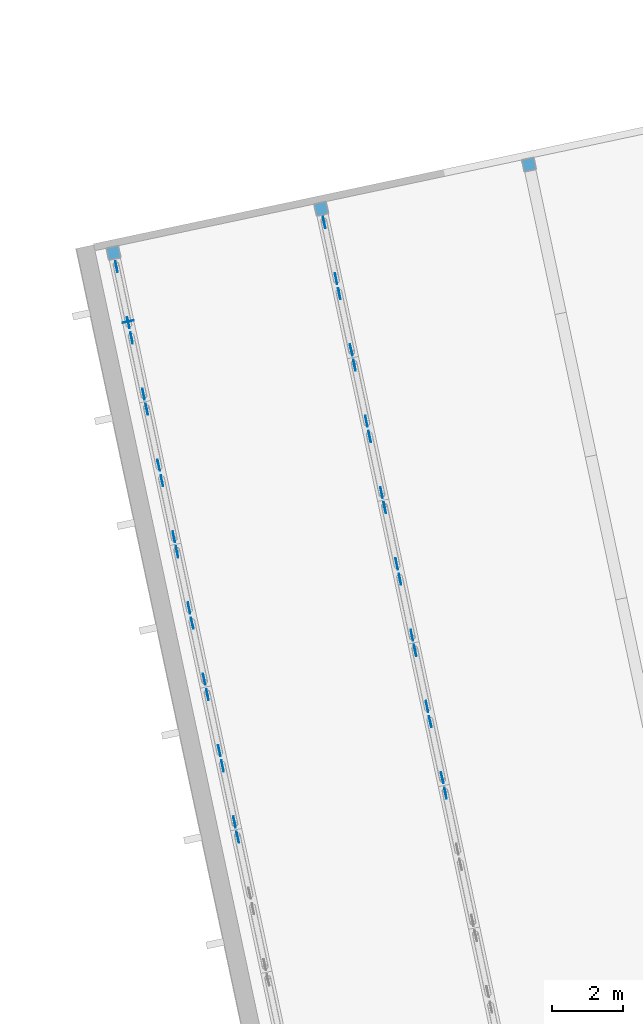
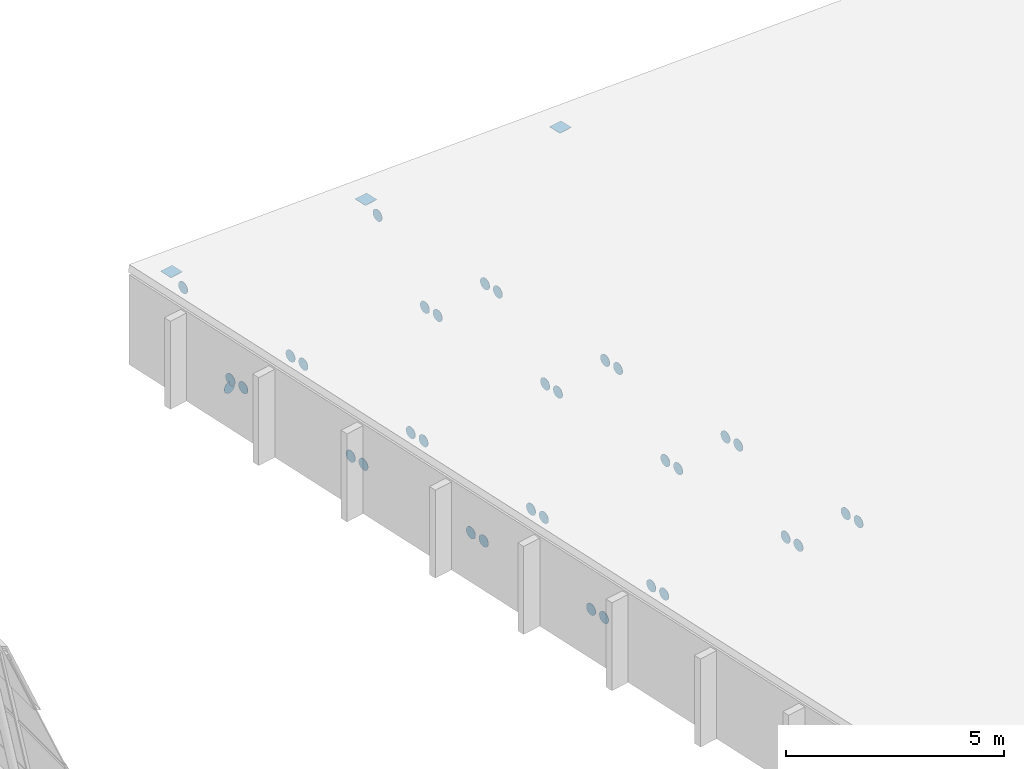
# One storey, part 42 of 50: 38 discrete accessories.
"""IFC4 building model written with IfcOpenShell, lengths in metres."""

from ifc_helpers import new_model, si_unit, direction, frame, origin, origin_2d, place, context, subcontext, project, spatial, rectangle, circle, extrude, material, layer, layer_set, type_object, element, save


model = new_model("IFC4")

# Units and contexts
model_context = context("Model", 3, precision=1e-05, world=origin(), true_north=direction((0.0, 1.0)))
body_context = subcontext(model_context, "Body", "Model", "MODEL_VIEW")
ifc_project = project(units=[si_unit("LENGTHUNIT", "METRE"), si_unit("AREAUNIT", "SQUARE_METRE"), si_unit("VOLUMEUNIT", "CUBIC_METRE"), si_unit("PLANEANGLEUNIT", "RADIAN"), si_unit("MASSUNIT", "GRAM", prefix="KILO")], contexts=[model_context])

# Site, building, storey
site_placement = place(None, origin())
site = spatial("IfcSite", under=ifc_project, at=site_placement, CompositionType="ELEMENT")
building_placement = place(site_placement, origin())
building = spatial("IfcBuilding", under=site, at=building_placement, Name="Windward Yard Aquatics Centre", CompositionType="ELEMENT")
storey_placement = place(building_placement, frame((0.0, 0.0, 18.199951171875)))
storey = spatial("IfcBuildingStorey", under=building, at=storey_placement, Name="L04", CompositionType="ELEMENT", Elevation=18.199951171875)

# Discrete accessories
ifc_material = material(Name="Steel S355", Category="steel")
ifc_layer_1 = layer(ifc_material, 0.010009765625)
ifc_layer_set_1 = layer_set([ifc_layer_1], Name="End cap plate 10 mm CHS323.9x12.7")
discrete_accessory_type_1 = type_object("IfcDiscreteAccessoryType", Name="End cap plate 10 mm CHS323.9x12.7", PredefinedType="USERDEFINED", material=ifc_layer_set_1)
discrete_accessory_1_placement = place(storey_placement, frame((157.343017578125, 72.608642578125, 0.104736328125), z_axis=(-0.219512195122, 0.975609756098, 0.0), x_axis=(-0.975609756098, -0.219512195122, 0.0)))
element("IfcDiscreteAccessory", 1, at=discrete_accessory_1_placement, inside=storey, type_object=discrete_accessory_type_1, Name="End cap", ObjectType="END CAP", PredefinedType="USERDEFINED", context=body_context, shape_type="SweptSolid", body=[
    extrude(circle(Radius=0.161865234375, at=origin_2d()), origin(), (0.0, 0.0, 1.0), 0.010009765625),
])
ifc_layer_2 = layer(ifc_material, 0.010009765625)
ifc_layer_set_2 = layer_set([ifc_layer_2], Name="End cap plate 10 mm RHS355.6x355.6x15.9")
discrete_accessory_type_2 = type_object("IfcDiscreteAccessoryType", Name="End cap plate 10 mm RHS355.6x355.6x15.9", PredefinedType="USERDEFINED", material=ifc_layer_set_2)
for number, where, z_axis, x_axis, name in (
    (2, (162.79833984375, 75.801025390625, 1.515380859375), (0.0, 0.0, 1.0), (0.978147600734, 0.207911690818, 0.0), "End cap"),
    (3, (168.667236328125, 77.048583984375, 0.725830078125), (0.0, 0.0, 1.0), (0.978147600734, 0.207911690818, 0.0), "End cap"),
    (4, (156.929443359375, 74.553466796875, 2.3046875), (0.0, 0.0, 1.0), (0.978147600734, 0.207911690818, 0.0), "End cap"),
):
    element("IfcDiscreteAccessory", number, at=place(storey_placement, frame(where, z_axis=z_axis, x_axis=x_axis)), inside=storey, type_object=discrete_accessory_type_2, Name=name, ObjectType="END CAP", PredefinedType="USERDEFINED", context=body_context, shape_type="SweptSolid", body=[
        extrude(rectangle(XDim=0.355712890625, YDim=0.355712890625, at=origin_2d()), origin(), (0.0, 0.0, 1.0), 0.010009765625),
    ])
ifc_layer_3 = layer(ifc_material, 0.011962890625)
ifc_layer_set_3 = layer_set([ifc_layer_3], Name="Gusset plate 320 mm disc 12 mm, roof frames")
discrete_accessory_type_3 = type_object("IfcDiscreteAccessoryType", Name="Gusset plate 320 mm disc 12 mm, roof frames", PredefinedType="USERDEFINED", material=ifc_layer_set_3)
for number, where, z_axis, x_axis, name in (
    (5, (160.433349609375, 58.041015625, 2.06982421875), (0.974732318528, 0.223376156329, 0.0), (-0.223376156329, 0.974732318528, 0.0), "Gusset plate"),
    (6, (160.341796875, 58.4716796875, 2.06982421875), (0.978980419738, 0.203954254112, 0.0), (-0.203954254112, 0.978980419738, 0.0), "Gusset plate"),
    (7, (160.0048828125, 60.056396484375, 0.33984375), (0.978980419738, 0.203954254112, 0.0), (-0.203954254112, 0.978980419738, 0.0), "Gusset plate"),
    (8, (159.57666015625, 62.071533203125, 2.06982421875), (0.978980419738, 0.203954254112, 0.0), (-0.203954254112, 0.978980419738, 0.0), "Gusset plate"),
    (9, (159.913330078125, 60.48681640625, 0.33984375), (0.978980419738, 0.203954254112, 0.0), (-0.203954254112, 0.978980419738, 0.0), "Gusset plate"),
    (10, (159.485107421875, 62.501953125, 2.06982421875), (0.978980419738, 0.203954254112, 0.0), (-0.203954254112, 0.978980419738, 0.0), "Gusset plate"),
    (11, (159.148193359375, 64.086669921875, 0.33984375), (0.974732318528, 0.223376156329, 0.0), (-0.223376156329, 0.974732318528, 0.0), "Gusset plate"),
):
    element("IfcDiscreteAccessory", number, at=place(storey_placement, frame(where, z_axis=z_axis, x_axis=x_axis)), inside=storey, type_object=discrete_accessory_type_3, Name=name, ObjectType="GUSSET PLATE", PredefinedType="USERDEFINED", context=body_context, shape_type="SweptSolid", body=[
        extrude(circle(Radius=0.159912109375, at=origin_2d()), origin(), (0.0, 0.0, 1.0), 0.011962890625),
    ])
discrete_accessory_2_placement = place(storey_placement, frame((158.7197265625, 66.10205078125, 2.06982421875), z_axis=(0.97980405878, 0.199960011996, 0.0), x_axis=(-0.199960011996, 0.97980405878, 0.0)))
element("IfcDiscreteAccessory", 12, at=discrete_accessory_2_placement, inside=storey, type_object=discrete_accessory_type_3, Name="Gusset plate", ObjectType="GUSSET PLATE", PredefinedType="USERDEFINED", context=body_context, shape_type="SweptSolid", body=[
    extrude(circle(Radius=0.159912109375, at=origin_2d()), origin(), (0.0, 0.0, 1.0), 0.01220703125),
])
for number, where, z_axis, x_axis, name in (
    (13, (159.056640625, 64.517333984375, 0.33984375), (0.978980419738, 0.203954254112, 0.0), (-0.203954254112, 0.978980419738, 0.0), "Gusset plate"),
    (14, (158.62841796875, 66.532470703125, 2.06982421875), (0.978980419738, 0.203954254112, 0.0), (-0.203954254112, 0.978980419738, 0.0), "Gusset plate"),
    (15, (158.29150390625, 68.1171875, 0.33984375), (0.978980419738, 0.203954254112, 0.0), (-0.203954254112, 0.978980419738, 0.0), "Gusset plate"),
):
    element("IfcDiscreteAccessory", number, at=place(storey_placement, frame(where, z_axis=z_axis, x_axis=x_axis)), inside=storey, type_object=discrete_accessory_type_3, Name=name, ObjectType="GUSSET PLATE", PredefinedType="USERDEFINED", context=body_context, shape_type="SweptSolid", body=[
        extrude(circle(Radius=0.159912109375, at=origin_2d()), origin(), (0.0, 0.0, 1.0), 0.011962890625),
    ])
discrete_accessory_3_placement = place(storey_placement, frame((157.863037109375, 70.132568359375, 2.06982421875), z_axis=(0.97980405878, 0.199960011996, 0.0), x_axis=(-0.199960011996, 0.97980405878, 0.0)))
element("IfcDiscreteAccessory", 16, at=discrete_accessory_3_placement, inside=storey, type_object=discrete_accessory_type_3, Name="Gusset plate", ObjectType="GUSSET PLATE", PredefinedType="USERDEFINED", context=body_context, shape_type="SweptSolid", body=[
    extrude(circle(Radius=0.159912109375, at=origin_2d()), origin(), (0.0, 0.0, 1.0), 0.01220703125),
])
for number, where, z_axis, x_axis, name in (
    (17, (158.199951171875, 68.547607421875, 0.33984375), (0.974732318528, 0.223376156329, 0.0), (-0.223376156329, 0.974732318528, 0.0), "Gusset plate"),
    (18, (157.771728515625, 70.56298828125, 2.06982421875), (0.978980419738, 0.203954254112, 0.0), (-0.203954254112, 0.978980419738, 0.0), "Gusset plate"),
    (19, (157.434814453125, 72.147705078125, 0.33984375), (0.978980419738, 0.203954254112, 0.0), (-0.203954254112, 0.978980419738, 0.0), "Gusset plate"),
    (20, (157.00634765625, 74.162841796875, 2.06982421875), (0.978980419738, 0.203954254112, 0.0), (-0.203954254112, 0.978980419738, 0.0), "Gusset plate"),
    (21, (157.34326171875, 72.578125, 0.33984375), (0.974732318528, 0.223376156329, 0.0), (-0.223376156329, 0.974732318528, 0.0), "Gusset plate"),
    (22, (166.30224609375, 59.28857421875, 1.2802734375), (0.978980419738, 0.203954254112, 0.0), (-0.203954254112, 0.978980419738, 0.0), "Gusset plate"),
    (23, (166.210693359375, 59.718994140625, 1.2802734375), (0.974732318528, 0.223376156329, 0.0), (-0.223376156329, 0.974732318528, 0.0), "Gusset plate"),
    (24, (165.873779296875, 61.3037109375, -0.44970703125), (0.974732318528, 0.223376156329, 0.0), (-0.223376156329, 0.974732318528, 0.0), "Gusset plate"),
    (25, (165.445556640625, 63.319091796875, 1.2802734375), (0.978980419738, 0.203954254112, 0.0), (-0.203954254112, 0.978980419738, 0.0), "Gusset plate"),
    (26, (165.7822265625, 61.734375, -0.44970703125), (0.978980419738, 0.203954254112, 0.0), (-0.203954254112, 0.978980419738, 0.0), "Gusset plate"),
    (27, (165.35400390625, 63.74951171875, 1.2802734375), (0.978980419738, 0.203954254112, 0.0), (-0.203954254112, 0.978980419738, 0.0), "Gusset plate"),
    (28, (165.01708984375, 65.334228515625, -0.44970703125), (0.978980419738, 0.203954254112, 0.0), (-0.203954254112, 0.978980419738, 0.0), "Gusset plate"),
):
    element("IfcDiscreteAccessory", number, at=place(storey_placement, frame(where, z_axis=z_axis, x_axis=x_axis)), inside=storey, type_object=discrete_accessory_type_3, Name=name, ObjectType="GUSSET PLATE", PredefinedType="USERDEFINED", context=body_context, shape_type="SweptSolid", body=[
        extrude(circle(Radius=0.159912109375, at=origin_2d()), origin(), (0.0, 0.0, 1.0), 0.011962890625),
    ])
discrete_accessory_4_placement = place(storey_placement, frame((164.588623046875, 67.349609375, 1.2802734375), z_axis=(0.97980405878, 0.199960011996, 0.0), x_axis=(-0.199960011996, 0.97980405878, 0.0)))
element("IfcDiscreteAccessory", 29, at=discrete_accessory_4_placement, inside=storey, type_object=discrete_accessory_type_3, Name="Gusset plate", ObjectType="GUSSET PLATE", PredefinedType="USERDEFINED", context=body_context, shape_type="SweptSolid", body=[
    extrude(circle(Radius=0.159912109375, at=origin_2d()), origin(), (0.0, 0.0, 1.0), 0.01220703125),
])
for number, where, z_axis, x_axis, name in (
    (30, (164.925537109375, 65.7646484375, -0.44970703125), (0.978980419738, 0.203954254112, 0.0), (-0.203954254112, 0.978980419738, 0.0), "Gusset plate"),
    (31, (164.497314453125, 67.780029296875, 1.2802734375), (0.978980419738, 0.203954254112, 0.0), (-0.203954254112, 0.978980419738, 0.0), "Gusset plate"),
    (32, (164.160400390625, 69.36474609375, -0.44970703125), (0.978980419738, 0.203954254112, 0.0), (-0.203954254112, 0.978980419738, 0.0), "Gusset plate"),
):
    element("IfcDiscreteAccessory", number, at=place(storey_placement, frame(where, z_axis=z_axis, x_axis=x_axis)), inside=storey, type_object=discrete_accessory_type_3, Name=name, ObjectType="GUSSET PLATE", PredefinedType="USERDEFINED", context=body_context, shape_type="SweptSolid", body=[
        extrude(circle(Radius=0.159912109375, at=origin_2d()), origin(), (0.0, 0.0, 1.0), 0.011962890625),
    ])
discrete_accessory_5_placement = place(storey_placement, frame((163.73193359375, 71.3798828125, 1.2802734375), z_axis=(0.97980405878, 0.199960011996, 0.0), x_axis=(-0.199960011996, 0.97980405878, 0.0)))
element("IfcDiscreteAccessory", 33, at=discrete_accessory_5_placement, inside=storey, type_object=discrete_accessory_type_3, Name="Gusset plate", ObjectType="GUSSET PLATE", PredefinedType="USERDEFINED", context=body_context, shape_type="SweptSolid", body=[
    extrude(circle(Radius=0.159912109375, at=origin_2d()), origin(), (0.0, 0.0, 1.0), 0.01220703125),
])
for number, where, z_axis, x_axis, name in (
    (34, (164.06884765625, 69.795166015625, -0.44970703125), (0.978980419738, 0.203954254112, 0.0), (-0.203954254112, 0.978980419738, 0.0), "Gusset plate"),
    (35, (163.640625, 71.810302734375, 1.2802734375), (0.974732318528, 0.223376156329, 0.0), (-0.223376156329, 0.974732318528, 0.0), "Gusset plate"),
    (36, (163.3037109375, 73.395263671875, -0.44970703125), (0.978980419738, 0.203954254112, 0.0), (-0.203954254112, 0.978980419738, 0.0), "Gusset plate"),
    (37, (162.875244140625, 75.410400390625, 1.2802734375), (0.978980419738, 0.203954254112, 0.0), (-0.203954254112, 0.978980419738, 0.0), "Gusset plate"),
    (38, (163.212158203125, 73.82568359375, -0.44970703125), (0.978980419738, 0.203954254112, 0.0), (-0.203954254112, 0.978980419738, 0.0), "Gusset plate"),
):
    element("IfcDiscreteAccessory", number, at=place(storey_placement, frame(where, z_axis=z_axis, x_axis=x_axis)), inside=storey, type_object=discrete_accessory_type_3, Name=name, ObjectType="GUSSET PLATE", PredefinedType="USERDEFINED", context=body_context, shape_type="SweptSolid", body=[
        extrude(circle(Radius=0.159912109375, at=origin_2d()), origin(), (0.0, 0.0, 1.0), 0.011962890625),
    ])

save(model, "model.ifc")
